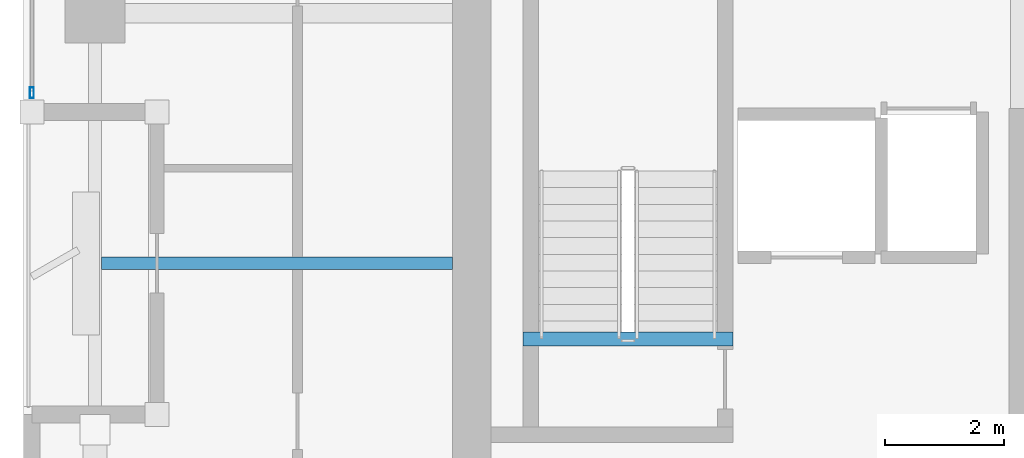
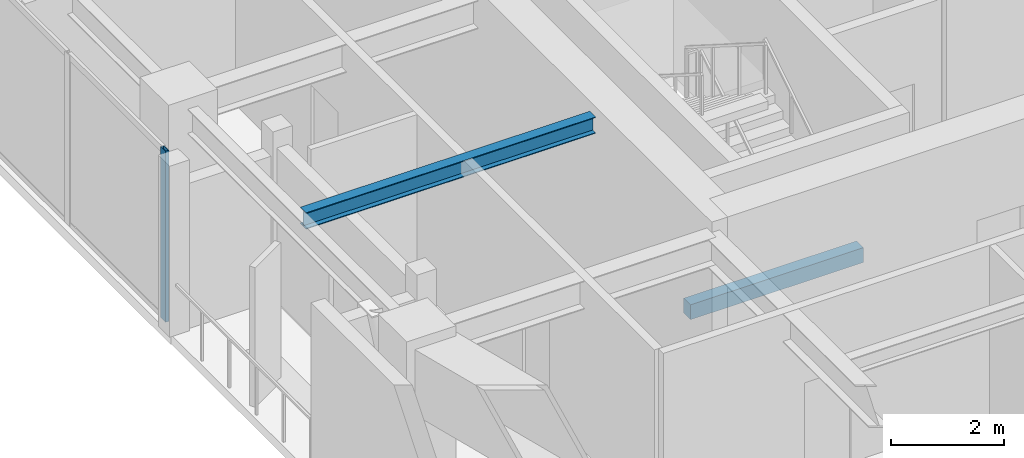
# One storey, part 2 of 15: 2 beams, 1 member, 1 element without a shape of its own.
"""IFC4 building model written with IfcOpenShell, lengths in metres."""

from ifc_helpers import new_model, si_unit, direction, frame, origin, origin_2d, place, context, subcontext, project, spatial, rectangle, hollow_rectangle, i_section, extrude, material, layer, layer_set, material_profile, profile_set, type_object, element, aggregate, save


model = new_model("IFC4")

# Units and contexts
model_context = context("Model", 3, precision=1e-05, world=origin(), true_north=direction((0.0, 1.0)))
body_context = subcontext(model_context, "Body", "Model", "MODEL_VIEW")
ifc_project = project(units=[si_unit("LENGTHUNIT", "METRE"), si_unit("AREAUNIT", "SQUARE_METRE"), si_unit("VOLUMEUNIT", "CUBIC_METRE"), si_unit("PLANEANGLEUNIT", "RADIAN"), si_unit("MASSUNIT", "GRAM", prefix="KILO")], contexts=[model_context])

# Site, building, storey
site_placement = place(None, origin())
site = spatial("IfcSite", under=ifc_project, at=site_placement, CompositionType="ELEMENT")
building_placement = place(site_placement, origin())
building = spatial("IfcBuilding", under=site, at=building_placement, Name="Kiyonajd Concourse Tower", CompositionType="ELEMENT")
storey_placement = place(building_placement, frame((0.0, 0.0, 258.89990234375)))
storey = spatial("IfcBuildingStorey", under=building, at=storey_placement, Name="L65", CompositionType="ELEMENT", Elevation=258.89990234375)

# Beams
ifc_material_1 = material(Name="Steel ASTM A992 Grade 50", Category="steel")
ifc_material_profile_1 = material_profile(ifc_material_1, i_section(OverallWidth=0.205078125, OverallDepth=0.35400390625, WebThickness=0.009521484375, FlangeThickness=0.016845703125, at=origin_2d()), Name="W360X79")
ifc_profile_set_1 = profile_set([ifc_material_profile_1], Name="Steel ASTM A992 Grade 50")
beam_type_1 = type_object("IfcBeamType", Name="BM-JST-360", PredefinedType="JOIST", material=ifc_profile_set_1)
beam_1_placement = place(storey_placement, frame((26.505615234375, 31.800048828125, 3.503173828125), z_axis=(1.0, 0.0, 0.0), x_axis=(0.0, 1.0, 0.0)))
element("IfcBeam", 1, at=beam_1_placement, inside=storey, type_object=beam_type_1, Name="L65 West Secondary Floor Joist", PredefinedType="JOIST", context=body_context, shape_type="SweptSolid", body=[
    extrude(i_section(OverallWidth=0.205078125, OverallDepth=0.35400390625, WebThickness=0.009521484375, FlangeThickness=0.016845703125, at=origin_2d()), origin(), (0.0, 0.0, 1.0), 5.894287109375),
])
ifc_material_2 = material(Name="Concrete C50/60", Category="concrete")
ifc_material_profile_2 = material_profile(ifc_material_2, rectangle(XDim=0.239990234375, YDim=0.320068359375, at=origin_2d()), Name="RCBM-240x320")
ifc_profile_set_2 = profile_set([ifc_material_profile_2], Name="Concrete C50/60")
beam_type_2 = type_object("IfcBeamType", Name="BM-LNT-250", PredefinedType="LINTEL", material=ifc_profile_set_2)
beam_2_placement = place(storey_placement, frame((33.590087890625, 30.530029296875, -0.159912109375), z_axis=(1.0, 0.0, 0.0), x_axis=(0.0, 1.0, 0.0)))
element("IfcBeam", 2, at=beam_2_placement, inside=storey, type_object=beam_type_2, Name="L65 Stair ST1 Threshold Support Beam", PredefinedType="LINTEL", context=body_context, shape_type="SweptSolid", body=[
    extrude(rectangle(XDim=0.239990234375, YDim=0.320068359375, at=origin_2d()), origin(), (0.0, 0.0, 1.0), 3.52001953125),
])

# Curtain wall, member
ifc_material_3 = material(Name="Thermally Broken Anodised Aluminium", Category="aluminium")
ifc_layer = layer(ifc_material_3, 0.179931640625)
ifc_layer_set = layer_set([ifc_layer], Name="Thermally Broken Anodised Aluminium")
curtain_wall_type = type_object("IfcCurtainWallType", Name="CW-SYS-04", PredefinedType="NOTDEFINED", material=ifc_layer_set)
curtain_wall_placement = place(storey_placement, origin())
curtain_wall = element("IfcCurtainWall", 3, at=curtain_wall_placement, inside=storey, type_object=curtain_wall_type, Name="L65 Unitised Curtain Wall CW4", PredefinedType="NOTDEFINED")
ifc_material_profile_3 = material_profile(ifc_material_3, hollow_rectangle(XDim=0.06494140625, YDim=0.179931640625, WallThickness=0.00390625, at=origin_2d()), Name="MULL-65x180")
ifc_profile_set_3 = profile_set([ifc_material_profile_3], Name="Thermally Broken Anodised Aluminium")
member_type = type_object("IfcMemberType", Name="MB-CW-MULL1", PredefinedType="MULLION", material=ifc_profile_set_3)
member_placement = place(storey_placement, frame((25.340087890625, 34.66259765625, 0.0), z_axis=(0.0, 0.0, 1.0), x_axis=(-1.0, 0.0, 0.0)))
member = element("IfcMember", 4, at=member_placement, type_object=member_type, Name="CW4 mullion 1", PredefinedType="MULLION", context=body_context, shape_type="SweptSolid", body=[
    extrude(hollow_rectangle(XDim=0.06494140625, YDim=0.179931640625, WallThickness=0.00390625, at=origin_2d()), origin(), (0.0, 0.0, 1.0), 3.68017578125),
])
aggregate(curtain_wall, [member])

save(model, "model.ifc")
